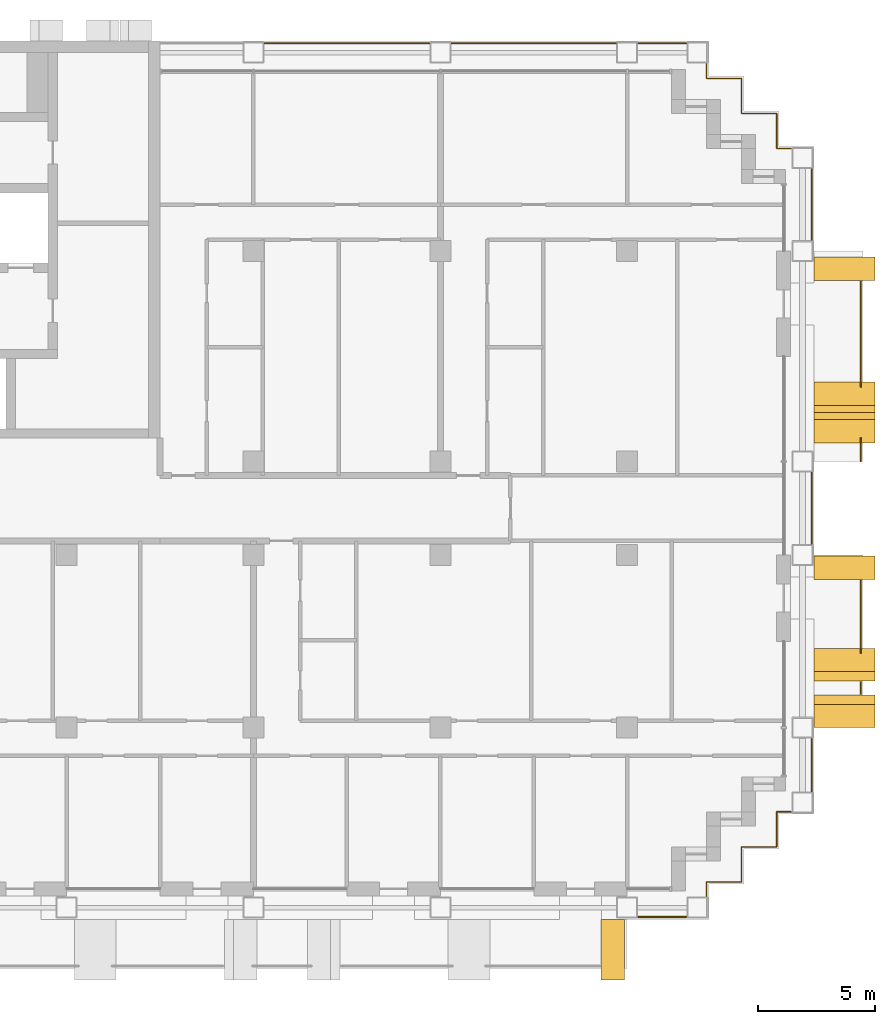
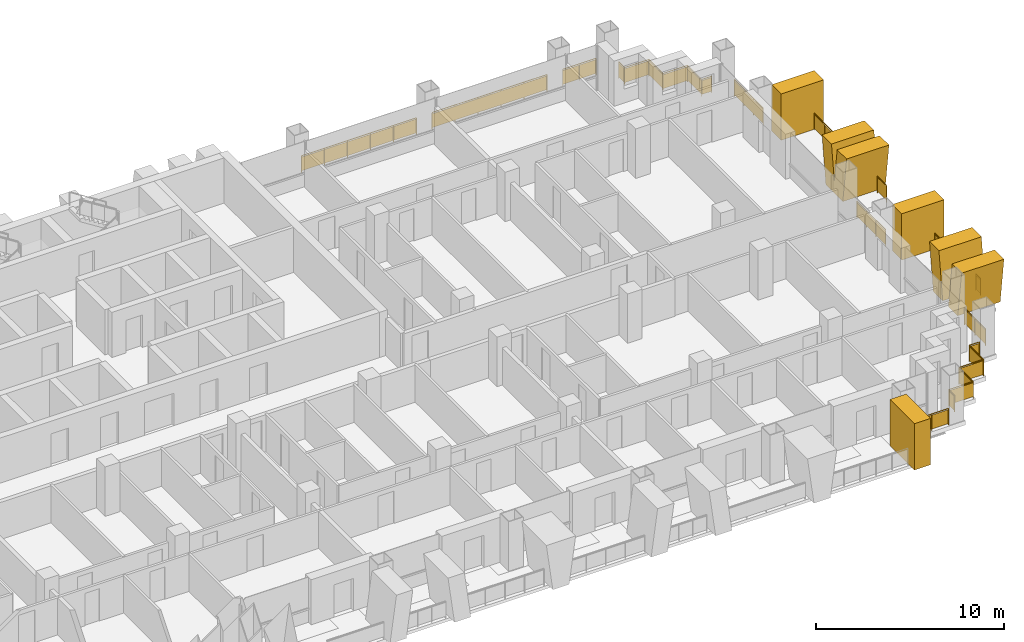
# One storey, part 18 of 18: 13 railings, 6 shading devices.
"""IFC4 building model written with IfcOpenShell, lengths in metres."""

from ifc_helpers import new_model, si_unit, direction, frame, origin, origin_2d, place, context, subcontext, project, spatial, polyline, rectangle, circle, outline, extrude, material, layer, layer_set, type_object, element, save


model = new_model("IFC4")

# Units and contexts
model_context = context("Model", 3, precision=1e-05, world=origin(), true_north=direction((0.0, 1.0)))
body_context = subcontext(model_context, "Body", "Model", "MODEL_VIEW")
ifc_project = project(units=[si_unit("LENGTHUNIT", "METRE"), si_unit("AREAUNIT", "SQUARE_METRE"), si_unit("VOLUMEUNIT", "CUBIC_METRE"), si_unit("PLANEANGLEUNIT", "RADIAN"), si_unit("MASSUNIT", "GRAM", prefix="KILO")], contexts=[model_context])

# Site, building, storey
site_placement = place(None, origin())
site = spatial("IfcSite", under=ifc_project, at=site_placement, CompositionType="ELEMENT")
building_placement = place(site_placement, origin())
building = spatial("IfcBuilding", under=site, at=building_placement, Name="Vidyagriha Tower", CompositionType="ELEMENT")
storey_placement = place(building_placement, frame((0.0, 0.0, 93.5)))
storey = spatial("IfcBuildingStorey", under=building, at=storey_placement, Name="L24", CompositionType="ELEMENT", Elevation=93.5)

# Railings
ifc_material_1 = material(Name="Steel ASTM A500 Grade C black painted", Category="steel")
railing_type_1 = type_object("IfcRailingType", Name="Balcony guard 1100", PredefinedType="BALUSTRADE", material=ifc_material_1)
railing_1_placement = place(storey_placement, frame((44.0, -7.949951171875, 0.0)))
element("IfcRailing", 1, at=railing_1_placement, inside=storey, type_object=railing_type_1, Name="Balcony guard L24 R30.1-1", PredefinedType="BALUSTRADE", context=body_context, shape_type="SweptSolid", body=[
    extrude(circle(Radius=0.02490234375, at=origin_2d()), frame((0.0, 0.0, 1.0751953125), z_axis=(0.0, 1.0, 0.0), x_axis=(-1.0, 0.0, 0.0)), (0.0, 0.0, 1.0), 0.5),
    extrude(circle(Radius=0.02001953125, at=origin_2d()), origin(), (0.0, 0.0, 1.0), 1.050048828125),
    extrude(circle(Radius=0.02001953125, at=origin_2d()), frame((0.0, 0.5, 0.0)), (0.0, 0.0, 1.0), 1.050048828125),
    extrude(rectangle(XDim=0.010009765625, YDim=0.900146484375, at=origin_2d()), frame((0.0, 0.0, 0.550048828125), z_axis=(0.0, 1.0, 0.0), x_axis=(-1.0, 0.0, 0.0)), (0.0, 0.0, 1.0), 0.5),
])
railing_2_placement = place(storey_placement, frame((44.0, -6.19677734375, 0.0)))
element("IfcRailing", 2, at=railing_2_placement, inside=storey, type_object=railing_type_1, Name="Balcony guard L24 R30.1-2", PredefinedType="BALUSTRADE", context=body_context, shape_type="SweptSolid", body=[
    extrude(circle(Radius=0.02490234375, at=origin_2d()), frame((0.0, 0.0, 1.0751953125), z_axis=(0.0, 1.0, 0.0), x_axis=(-1.0, 0.0, 0.0)), (0.0, 0.0, 1.0), 3.0966796875),
    extrude(circle(Radius=0.02001953125, at=origin_2d()), origin(), (0.0, 0.0, 1.0), 1.050048828125),
    extrude(circle(Radius=0.02001953125, at=origin_2d()), frame((0.0, 1.0322265625, 0.0)), (0.0, 0.0, 1.0), 1.050048828125),
    extrude(circle(Radius=0.02001953125, at=origin_2d()), frame((0.0, 2.064453125, 0.0)), (0.0, 0.0, 1.0), 1.050048828125),
    extrude(circle(Radius=0.02001953125, at=origin_2d()), frame((0.0, 3.0966796875, 0.0)), (0.0, 0.0, 1.0), 1.050048828125),
    extrude(rectangle(XDim=0.010009765625, YDim=0.900146484375, at=origin_2d()), frame((0.0, 0.0, 0.550048828125), z_axis=(0.0, 1.0, 0.0), x_axis=(-1.0, 0.0, 0.0)), (0.0, 0.0, 1.0), 3.0966796875),
])
railing_3_placement = place(storey_placement, frame((44.0, 2.0, 0.0)))
element("IfcRailing", 3, at=railing_3_placement, inside=storey, type_object=railing_type_1, Name="Balcony guard L24 R30.2-1", PredefinedType="BALUSTRADE", context=body_context, shape_type="SweptSolid", body=[
    extrude(circle(Radius=0.02490234375, at=origin_2d()), frame((0.0, 0.0, 1.0751953125), z_axis=(0.0, 1.0, 0.0), x_axis=(-1.0, 0.0, 0.0)), (0.0, 0.0, 1.0), 0.99658203125),
    extrude(circle(Radius=0.02001953125, at=origin_2d()), origin(), (0.0, 0.0, 1.0), 1.050048828125),
    extrude(circle(Radius=0.02001953125, at=origin_2d()), frame((0.0, 0.99658203125, 0.0)), (0.0, 0.0, 1.0), 1.050048828125),
    extrude(rectangle(XDim=0.010009765625, YDim=0.900146484375, at=origin_2d()), frame((0.0, 0.0, 0.550048828125), z_axis=(0.0, 1.0, 0.0), x_axis=(-1.0, 0.0, 0.0)), (0.0, 0.0, 1.0), 0.99658203125),
])
railing_4_placement = place(storey_placement, frame((44.0, 5.203369140625, 0.0)))
element("IfcRailing", 4, at=railing_4_placement, inside=storey, type_object=railing_type_1, Name="Balcony guard L24 R30.2-2", PredefinedType="BALUSTRADE", context=body_context, shape_type="SweptSolid", body=[
    extrude(circle(Radius=0.02490234375, at=origin_2d()), frame((0.0, 0.0, 1.0751953125), z_axis=(0.0, 1.0, 0.0), x_axis=(-1.0, 0.0, 0.0)), (0.0, 0.0, 1.0), 4.49658203125),
    extrude(circle(Radius=0.02001953125, at=origin_2d()), origin(), (0.0, 0.0, 1.0), 1.050048828125),
    extrude(circle(Radius=0.02001953125, at=origin_2d()), frame((0.0, 1.1240234375, 0.0)), (0.0, 0.0, 1.0), 1.050048828125),
    extrude(circle(Radius=0.02001953125, at=origin_2d()), frame((0.0, 2.248291015625, 0.0)), (0.0, 0.0, 1.0), 1.050048828125),
    extrude(circle(Radius=0.02001953125, at=origin_2d()), frame((0.0, 3.37255859375, 0.0)), (0.0, 0.0, 1.0), 1.050048828125),
    extrude(circle(Radius=0.02001953125, at=origin_2d()), frame((0.0, 4.49658203125, 0.0)), (0.0, 0.0, 1.0), 1.050048828125),
    extrude(rectangle(XDim=0.010009765625, YDim=0.900146484375, at=origin_2d()), frame((0.0, 0.0, 0.550048828125), z_axis=(0.0, 1.0, 0.0), x_axis=(-1.0, 0.0, 0.0)), (0.0, 0.0, 1.0), 4.49658203125),
])

# Shading devices
ifc_material_2 = material(Name="Precast concrete C40/50 with buff brick facing", Category="concrete")
ifc_layer_1 = layer(ifc_material_2, 1.0)
ifc_layer_set_1 = layer_set([ifc_layer_1], Name="Precast concrete C40/50 with buff brick facing")
shading_device_type_1 = type_object("IfcShadingDeviceType", Name="Brick-faced blade fin arm leaning 8 degrees", PredefinedType="USERDEFINED", material=ifc_layer_set_1)
shading_device_1_placement = place(storey_placement, frame((43.300048828125, -7.39990234375, 0.0), z_axis=(0.0, 0.0, 1.0), x_axis=(0.0, 1.0, 0.0)))
element("IfcShadingDevice", 5, at=shading_device_1_placement, inside=storey, type_object=shading_device_type_1, Name="Leaning blade fin L24 R30.210a", ObjectType="BLADE FIN", PredefinedType="USERDEFINED", context=body_context, shape_type="SweptSolid", body=[
    extrude(outline(polyline([(0.0, 0.0), (1.0, 0.0), (1.39990234375, 3.0), (0.39990234375, 3.0), (0.0, 0.0)])), frame((0.0, 1.300048828125, 0.0), z_axis=(0.0, -1.0, 0.0), x_axis=(1.0, 0.0, 0.0)), (0.0, 0.0, 1.0), 2.60009765625),
])
shading_device_2_placement = place(storey_placement, frame((43.300048828125, -9.39990234375, 0.0), z_axis=(0.0, 0.0, 1.0), x_axis=(0.0, 1.0, 0.0)))
element("IfcShadingDevice", 6, at=shading_device_2_placement, inside=storey, type_object=shading_device_type_1, Name="Leaning blade fin L24 R30.210b", ObjectType="BLADE FIN", PredefinedType="USERDEFINED", context=body_context, shape_type="SweptSolid", body=[
    extrude(outline(polyline([(0.39990234375, 0.0), (1.39990234375, 0.0), (1.0, 3.0), (0.0, 3.0), (0.39990234375, 0.0)])), frame((0.0, 1.300048828125, 0.0), z_axis=(0.0, -1.0, 0.0), x_axis=(1.0, 0.0, 0.0)), (0.0, 0.0, 1.0), 2.60009765625),
])
ifc_material_3 = material(Name="Precast concrete C40/50 with buff brick facing", Category="concrete")
ifc_layer_2 = layer(ifc_material_3, 1.0)
ifc_layer_set_2 = layer_set([ifc_layer_2], Name="Precast concrete C40/50 with buff brick facing")
shading_device_type_2 = type_object("IfcShadingDeviceType", Name="Brick-faced blade fin forking 8 degrees", PredefinedType="USERDEFINED", material=ifc_layer_set_2)
shading_device_3_placement = place(storey_placement, frame((43.300048828125, 2.800048828125, 0.0), z_axis=(0.0, 0.0, 1.0), x_axis=(0.0, 1.0, 0.0)))
element("IfcShadingDevice", 7, at=shading_device_3_placement, inside=storey, type_object=shading_device_type_2, Name="Forked blade fin L24 R30.1350a", ObjectType="BLADE FIN", PredefinedType="USERDEFINED", context=body_context, shape_type="SweptSolid", body=[
    extrude(outline(polyline([(0.39990234375, 0.0), (2.199951171875, 0.0), (2.60009765625, 3.0), (1.60009765625, 3.0), (1.300048828125, 0.75), (1.0, 3.0), (0.0, 3.0), (0.39990234375, 0.0)])), frame((0.0, 1.300048828125, 0.0), z_axis=(0.0, -1.0, 0.0), x_axis=(1.0, 0.0, 0.0)), (0.0, 0.0, 1.0), 2.60009765625),
])
ifc_material_4 = material(Name="Precast concrete C40/50 with buff brick facing", Category="concrete")
ifc_layer_3 = layer(ifc_material_4, 1.0)
ifc_layer_set_3 = layer_set([ifc_layer_3], Name="Precast concrete C40/50 with buff brick facing")
shading_device_type_3 = type_object("IfcShadingDeviceType", Name="Brick-faced blade fin stem 1000", PredefinedType="USERDEFINED", material=ifc_layer_set_3)
shading_device_4_placement = place(storey_placement, frame((32.875, -18.89990234375, 0.0)))
element("IfcShadingDevice", 8, at=shading_device_4_placement, inside=storey, type_object=shading_device_type_3, Name="Stem blade fin L24 R23.5790a", ObjectType="BLADE FIN", PredefinedType="USERDEFINED", context=body_context, shape_type="SweptSolid", body=[
    extrude(outline(polyline([(0.0, 0.0), (1.0, 0.0), (1.0, 3.0), (0.0, 3.0), (0.0, 0.0)])), frame((0.0, 1.300048828125, 0.0), z_axis=(0.0, -1.0, 0.0), x_axis=(1.0, 0.0, 0.0)), (0.0, 0.0, 1.0), 2.60009765625),
])
for number, where, z_axis, x_axis, name in (
    (9, (43.300048828125, -3.050048828125, 0.0), (0.0, 0.0, 1.0), (0.0, 1.0, 0.0), "Stem blade fin L24 R30.950a"),
    (10, (43.300048828125, 9.75, 0.0), (0.0, 0.0, 1.0), (0.0, 1.0, 0.0), "Stem blade fin L24 R30.2250a"),
):
    element("IfcShadingDevice", number, at=place(storey_placement, frame(where, z_axis=z_axis, x_axis=x_axis)), inside=storey, type_object=shading_device_type_3, Name=name, ObjectType="BLADE FIN", PredefinedType="USERDEFINED", context=body_context, shape_type="SweptSolid", body=[
        extrude(outline(polyline([(0.0, 0.0), (1.0, 0.0), (1.0, 3.0), (0.0, 3.0), (0.0, 0.0)])), frame((0.0, 1.300048828125, 0.0), z_axis=(0.0, -1.0, 0.0), x_axis=(1.0, 0.0, 0.0)), (0.0, 0.0, 1.0), 2.60009765625),
    ])

# Railings
ifc_material_5 = material(Name="Steel ASTM A500 Grade C black painted", Category="steel")
railing_type_2 = type_object("IfcRailingType", Name="Gallery guard 1100", PredefinedType="GUARDRAIL", material=ifc_material_5)
for number, where, name in (
    (11, (18.47998046875, 19.89990234375, 0.0), "Gallery guard L24 10"),
    (12, (26.47998046875, 19.89990234375, 0.0), "Gallery guard L24 11"),
):
    element("IfcRailing", number, at=place(storey_placement, frame(where)), inside=storey, type_object=railing_type_2, Name=name, PredefinedType="GUARDRAIL", context=body_context, shape_type="SweptSolid", body=[
        extrude(circle(Radius=0.02490234375, at=origin_2d()), frame((0.0, 0.0, 1.0751953125), z_axis=(1.0, 0.0, 0.0), x_axis=(0.0, 1.0, 0.0)), (0.0, 0.0, 1.0), 7.0400390625),
        extrude(circle(Radius=0.02001953125, at=origin_2d()), origin(), (0.0, 0.0, 1.0), 1.050048828125),
        extrude(circle(Radius=0.02001953125, at=origin_2d()), frame((1.407958984375, 0.0, 0.0)), (0.0, 0.0, 1.0), 1.050048828125),
        extrude(circle(Radius=0.02001953125, at=origin_2d()), frame((2.81591796875, 0.0, 0.0)), (0.0, 0.0, 1.0), 1.050048828125),
        extrude(circle(Radius=0.02001953125, at=origin_2d()), frame((4.22412109375, 0.0, 0.0)), (0.0, 0.0, 1.0), 1.050048828125),
        extrude(circle(Radius=0.02001953125, at=origin_2d()), frame((5.632080078125, 0.0, 0.0)), (0.0, 0.0, 1.0), 1.050048828125),
        extrude(circle(Radius=0.02001953125, at=origin_2d()), frame((7.0400390625, 0.0, 0.0)), (0.0, 0.0, 1.0), 1.050048828125),
        extrude(rectangle(XDim=0.010009765625, YDim=0.900146484375, at=origin_2d()), frame((0.0, 0.0, 0.550048828125), z_axis=(1.0, 0.0, 0.0), x_axis=(0.0, 1.0, 0.0)), (0.0, 0.0, 1.0), 7.0400390625),
    ])
railing_5_placement = place(storey_placement, frame((36.52001953125, -17.5, 0.0)))
element("IfcRailing", 13, at=railing_5_placement, inside=storey, type_object=railing_type_2, Name="Gallery guard L24 12", PredefinedType="GUARDRAIL", context=body_context, shape_type="SweptSolid", body=[
    extrude(circle(Radius=0.02490234375, at=origin_2d()), frame((0.0, 0.0, 1.0751953125), z_axis=(-1.0, 0.0, 0.0), x_axis=(0.0, -1.0, 0.0)), (0.0, 0.0, 1.0), 2.0400390625),
    extrude(circle(Radius=0.02001953125, at=origin_2d()), origin(), (0.0, 0.0, 1.0), 1.050048828125),
    extrude(circle(Radius=0.02001953125, at=origin_2d()), frame((-1.02001953125, 0.0, 0.0)), (0.0, 0.0, 1.0), 1.050048828125),
    extrude(circle(Radius=0.02001953125, at=origin_2d()), frame((-2.0400390625, 0.0, 0.0)), (0.0, 0.0, 1.0), 1.050048828125),
    extrude(rectangle(XDim=0.010009765625, YDim=0.900146484375, at=origin_2d()), frame((0.0, 0.0, 0.550048828125), z_axis=(-1.0, 0.0, 0.0), x_axis=(0.0, -1.0, 0.0)), (0.0, 0.0, 1.0), 2.0400390625),
])
railing_6_placement = place(storey_placement, frame((34.47998046875, 19.89990234375, 0.0)))
element("IfcRailing", 14, at=railing_6_placement, inside=storey, type_object=railing_type_2, Name="Gallery guard L24 13", PredefinedType="GUARDRAIL", context=body_context, shape_type="SweptSolid", body=[
    extrude(circle(Radius=0.02490234375, at=origin_2d()), frame((0.0, 0.0, 1.0751953125), z_axis=(1.0, 0.0, 0.0), x_axis=(0.0, 1.0, 0.0)), (0.0, 0.0, 1.0), 2.0400390625),
    extrude(circle(Radius=0.02001953125, at=origin_2d()), origin(), (0.0, 0.0, 1.0), 1.050048828125),
    extrude(circle(Radius=0.02001953125, at=origin_2d()), frame((1.02001953125, 0.0, 0.0)), (0.0, 0.0, 1.0), 1.050048828125),
    extrude(circle(Radius=0.02001953125, at=origin_2d()), frame((2.0400390625, 0.0, 0.0)), (0.0, 0.0, 1.0), 1.050048828125),
    extrude(rectangle(XDim=0.010009765625, YDim=0.900146484375, at=origin_2d()), frame((0.0, 0.0, 0.550048828125), z_axis=(1.0, 0.0, 0.0), x_axis=(0.0, 1.0, 0.0)), (0.0, 0.0, 1.0), 2.0400390625),
])
railing_7_placement = place(storey_placement, frame((41.02001953125, -13.0, 0.0)))
element("IfcRailing", 15, at=railing_7_placement, inside=storey, type_object=railing_type_2, Name="Gallery guard L24 14", PredefinedType="GUARDRAIL", context=body_context, shape_type="SweptSolid", body=[
    extrude(circle(Radius=0.02490234375, at=origin_2d()), frame((0.0, 0.0, 1.0751953125), z_axis=(-1.0, 0.0, 0.0), x_axis=(0.0, -1.0, 0.0)), (0.0, 0.0, 1.0), 0.6201171875),
    extrude(circle(Radius=0.02490234375, at=origin_2d()), frame((-0.6201171875, 0.0, 1.0751953125), z_axis=(0.0, -1.0, 0.0), x_axis=(1.0, 0.0, 0.0)), (0.0, 0.0, 1.0), 1.5),
    extrude(circle(Radius=0.02490234375, at=origin_2d()), frame((-0.6201171875, -1.5, 1.0751953125), z_axis=(-1.0, 0.0, 0.0), x_axis=(0.0, -1.0, 0.0)), (0.0, 0.0, 1.0), 1.5),
    extrude(circle(Radius=0.02490234375, at=origin_2d()), frame((-2.1201171875, -1.5, 1.0751953125), z_axis=(0.0, -1.0, 0.0), x_axis=(1.0, 0.0, 0.0)), (0.0, 0.0, 1.0), 1.5),
    extrude(circle(Radius=0.02490234375, at=origin_2d()), frame((-2.1201171875, -3.0, 1.0751953125), z_axis=(-1.0, 0.0, 0.0), x_axis=(0.0, -1.0, 0.0)), (0.0, 0.0, 1.0), 1.5),
    extrude(circle(Radius=0.02490234375, at=origin_2d()), frame((-3.6201171875, -3.0, 1.0751953125), z_axis=(0.0, -1.0, 0.0), x_axis=(1.0, 0.0, 0.0)), (0.0, 0.0, 1.0), 0.6201171875),
    extrude(circle(Radius=0.02001953125, at=origin_2d()), origin(), (0.0, 0.0, 1.0), 1.050048828125),
    extrude(circle(Radius=0.02001953125, at=origin_2d()), frame((-0.6201171875, 0.0, 0.0)), (0.0, 0.0, 1.0), 1.050048828125),
    extrude(circle(Radius=0.02001953125, at=origin_2d()), frame((-0.6201171875, -1.5, 0.0)), (0.0, 0.0, 1.0), 1.050048828125),
    extrude(circle(Radius=0.02001953125, at=origin_2d()), frame((-2.1201171875, -1.5, 0.0)), (0.0, 0.0, 1.0), 1.050048828125),
    extrude(circle(Radius=0.02001953125, at=origin_2d()), frame((-2.1201171875, -3.0, 0.0)), (0.0, 0.0, 1.0), 1.050048828125),
    extrude(circle(Radius=0.02001953125, at=origin_2d()), frame((-3.6201171875, -3.0, 0.0)), (0.0, 0.0, 1.0), 1.050048828125),
    extrude(circle(Radius=0.02001953125, at=origin_2d()), frame((-3.6201171875, -3.6201171875, 0.0)), (0.0, 0.0, 1.0), 1.050048828125),
    extrude(rectangle(XDim=0.010009765625, YDim=0.900146484375, at=origin_2d()), frame((0.0, 0.0, 0.550048828125), z_axis=(-1.0, 0.0, 0.0), x_axis=(0.0, -1.0, 0.0)), (0.0, 0.0, 1.0), 0.6201171875),
    extrude(rectangle(XDim=0.010009765625, YDim=0.900146484375, at=origin_2d()), frame((-0.6201171875, 0.0, 0.550048828125), z_axis=(0.0, -1.0, 0.0), x_axis=(1.0, 0.0, 0.0)), (0.0, 0.0, 1.0), 1.5),
    extrude(rectangle(XDim=0.010009765625, YDim=0.900146484375, at=origin_2d()), frame((-0.6201171875, -1.5, 0.550048828125), z_axis=(-1.0, 0.0, 0.0), x_axis=(0.0, -1.0, 0.0)), (0.0, 0.0, 1.0), 1.5),
    extrude(rectangle(XDim=0.010009765625, YDim=0.900146484375, at=origin_2d()), frame((-2.1201171875, -1.5, 0.550048828125), z_axis=(0.0, -1.0, 0.0), x_axis=(1.0, 0.0, 0.0)), (0.0, 0.0, 1.0), 1.5),
    extrude(rectangle(XDim=0.010009765625, YDim=0.900146484375, at=origin_2d()), frame((-2.1201171875, -3.0, 0.550048828125), z_axis=(-1.0, 0.0, 0.0), x_axis=(0.0, -1.0, 0.0)), (0.0, 0.0, 1.0), 1.5),
    extrude(rectangle(XDim=0.010009765625, YDim=0.900146484375, at=origin_2d()), frame((-3.6201171875, -3.0, 0.550048828125), z_axis=(0.0, -1.0, 0.0), x_axis=(1.0, 0.0, 0.0)), (0.0, 0.0, 1.0), 0.6201171875),
])
railing_8_placement = place(storey_placement, frame((37.39990234375, 19.02001953125, 0.0)))
element("IfcRailing", 16, at=railing_8_placement, inside=storey, type_object=railing_type_2, Name="Gallery guard L24 15", PredefinedType="GUARDRAIL", context=body_context, shape_type="SweptSolid", body=[
    extrude(circle(Radius=0.02490234375, at=origin_2d()), frame((0.0, 0.0, 1.0751953125), z_axis=(0.0, -1.0, 0.0), x_axis=(1.0, 0.0, 0.0)), (0.0, 0.0, 1.0), 0.6201171875),
    extrude(circle(Radius=0.02490234375, at=origin_2d()), frame((0.0, -0.6201171875, 1.0751953125), z_axis=(1.0, 0.0, 0.0), x_axis=(0.0, 1.0, 0.0)), (0.0, 0.0, 1.0), 1.5),
    extrude(circle(Radius=0.02490234375, at=origin_2d()), frame((1.5, -0.6201171875, 1.0751953125), z_axis=(0.0, -1.0, 0.0), x_axis=(1.0, 0.0, 0.0)), (0.0, 0.0, 1.0), 1.5),
    extrude(circle(Radius=0.02490234375, at=origin_2d()), frame((1.5, -2.1201171875, 1.0751953125), z_axis=(1.0, 0.0, 0.0), x_axis=(0.0, 1.0, 0.0)), (0.0, 0.0, 1.0), 1.5),
    extrude(circle(Radius=0.02490234375, at=origin_2d()), frame((3.0, -2.1201171875, 1.0751953125), z_axis=(0.0, -1.0, 0.0), x_axis=(1.0, 0.0, 0.0)), (0.0, 0.0, 1.0), 1.5),
    extrude(circle(Radius=0.02490234375, at=origin_2d()), frame((3.0, -3.6201171875, 1.0751953125), z_axis=(1.0, 0.0, 0.0), x_axis=(0.0, 1.0, 0.0)), (0.0, 0.0, 1.0), 0.6201171875),
    extrude(circle(Radius=0.02001953125, at=origin_2d()), origin(), (0.0, 0.0, 1.0), 1.050048828125),
    extrude(circle(Radius=0.02001953125, at=origin_2d()), frame((0.0, -0.6201171875, 0.0)), (0.0, 0.0, 1.0), 1.050048828125),
    extrude(circle(Radius=0.02001953125, at=origin_2d()), frame((1.5, -0.6201171875, 0.0)), (0.0, 0.0, 1.0), 1.050048828125),
    extrude(circle(Radius=0.02001953125, at=origin_2d()), frame((1.5, -2.1201171875, 0.0)), (0.0, 0.0, 1.0), 1.050048828125),
    extrude(circle(Radius=0.02001953125, at=origin_2d()), frame((3.0, -2.1201171875, 0.0)), (0.0, 0.0, 1.0), 1.050048828125),
    extrude(circle(Radius=0.02001953125, at=origin_2d()), frame((3.0, -3.6201171875, 0.0)), (0.0, 0.0, 1.0), 1.050048828125),
    extrude(circle(Radius=0.02001953125, at=origin_2d()), frame((3.6201171875, -3.6201171875, 0.0)), (0.0, 0.0, 1.0), 1.050048828125),
    extrude(rectangle(XDim=0.010009765625, YDim=0.900146484375, at=origin_2d()), frame((0.0, 0.0, 0.550048828125), z_axis=(0.0, -1.0, 0.0), x_axis=(1.0, 0.0, 0.0)), (0.0, 0.0, 1.0), 0.6201171875),
    extrude(rectangle(XDim=0.010009765625, YDim=0.900146484375, at=origin_2d()), frame((0.0, -0.6201171875, 0.550048828125), z_axis=(1.0, 0.0, 0.0), x_axis=(0.0, 1.0, 0.0)), (0.0, 0.0, 1.0), 1.5),
    extrude(rectangle(XDim=0.010009765625, YDim=0.900146484375, at=origin_2d()), frame((1.5, -0.6201171875, 0.550048828125), z_axis=(0.0, -1.0, 0.0), x_axis=(1.0, 0.0, 0.0)), (0.0, 0.0, 1.0), 1.5),
    extrude(rectangle(XDim=0.010009765625, YDim=0.900146484375, at=origin_2d()), frame((1.5, -2.1201171875, 0.550048828125), z_axis=(1.0, 0.0, 0.0), x_axis=(0.0, 1.0, 0.0)), (0.0, 0.0, 1.0), 1.5),
    extrude(rectangle(XDim=0.010009765625, YDim=0.900146484375, at=origin_2d()), frame((3.0, -2.1201171875, 0.550048828125), z_axis=(0.0, -1.0, 0.0), x_axis=(1.0, 0.0, 0.0)), (0.0, 0.0, 1.0), 1.5),
    extrude(rectangle(XDim=0.010009765625, YDim=0.900146484375, at=origin_2d()), frame((3.0, -3.6201171875, 0.550048828125), z_axis=(1.0, 0.0, 0.0), x_axis=(0.0, 1.0, 0.0)), (0.0, 0.0, 1.0), 0.6201171875),
])
railing_9_placement = place(storey_placement, frame((41.89990234375, -9.8798828125, 0.0)))
element("IfcRailing", 17, at=railing_9_placement, inside=storey, type_object=railing_type_2, Name="Gallery guard L24 16", PredefinedType="GUARDRAIL", context=body_context, shape_type="SweptSolid", body=[
    extrude(circle(Radius=0.02490234375, at=origin_2d()), frame((0.0, 0.0, 1.0751953125), z_axis=(0.0, -1.0, 0.0), x_axis=(1.0, 0.0, 0.0)), (0.0, 0.0, 1.0), 2.240234375),
    extrude(circle(Radius=0.02001953125, at=origin_2d()), origin(), (0.0, 0.0, 1.0), 1.050048828125),
    extrude(circle(Radius=0.02001953125, at=origin_2d()), frame((0.0, -1.1201171875, 0.0)), (0.0, 0.0, 1.0), 1.050048828125),
    extrude(circle(Radius=0.02001953125, at=origin_2d()), frame((0.0, -2.240234375, 0.0)), (0.0, 0.0, 1.0), 1.050048828125),
    extrude(rectangle(XDim=0.010009765625, YDim=0.900146484375, at=origin_2d()), frame((0.0, 0.0, 0.550048828125), z_axis=(0.0, -1.0, 0.0), x_axis=(1.0, 0.0, 0.0)), (0.0, 0.0, 1.0), 2.240234375),
])
for number, where, name in (
    (18, (41.89990234375, 1.52001953125, 0.0), "Gallery guard L24 17"),
    (19, (41.89990234375, 14.52001953125, 0.0), "Gallery guard L24 18"),
):
    element("IfcRailing", number, at=place(storey_placement, frame(where)), inside=storey, type_object=railing_type_2, Name=name, PredefinedType="GUARDRAIL", context=body_context, shape_type="SweptSolid", body=[
        extrude(circle(Radius=0.02490234375, at=origin_2d()), frame((0.0, 0.0, 1.0751953125), z_axis=(0.0, -1.0, 0.0), x_axis=(1.0, 0.0, 0.0)), (0.0, 0.0, 1.0), 3.0400390625),
        extrude(circle(Radius=0.02001953125, at=origin_2d()), origin(), (0.0, 0.0, 1.0), 1.050048828125),
        extrude(circle(Radius=0.02001953125, at=origin_2d()), frame((0.0, -1.013427734375, 0.0)), (0.0, 0.0, 1.0), 1.050048828125),
        extrude(circle(Radius=0.02001953125, at=origin_2d()), frame((0.0, -2.026611328125, 0.0)), (0.0, 0.0, 1.0), 1.050048828125),
        extrude(circle(Radius=0.02001953125, at=origin_2d()), frame((0.0, -3.0400390625, 0.0)), (0.0, 0.0, 1.0), 1.050048828125),
        extrude(rectangle(XDim=0.010009765625, YDim=0.900146484375, at=origin_2d()), frame((0.0, 0.0, 0.550048828125), z_axis=(0.0, -1.0, 0.0), x_axis=(1.0, 0.0, 0.0)), (0.0, 0.0, 1.0), 3.0400390625),
    ])

save(model, "model.ifc")
